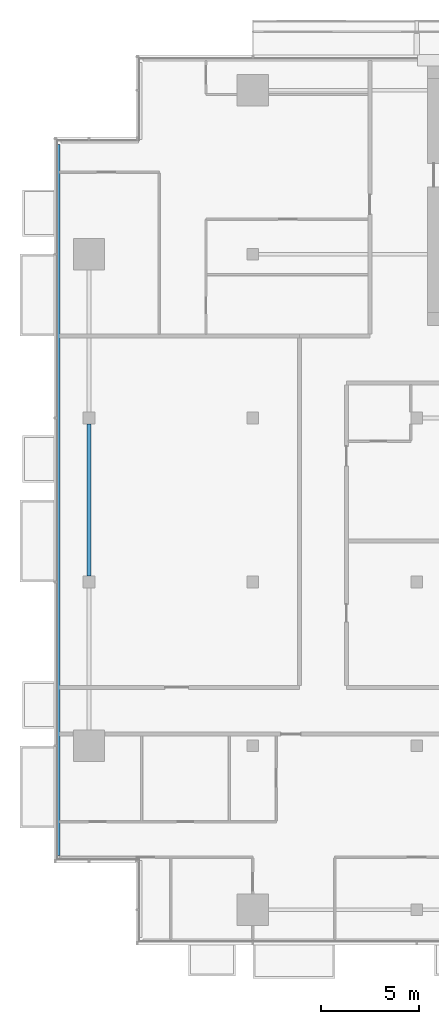
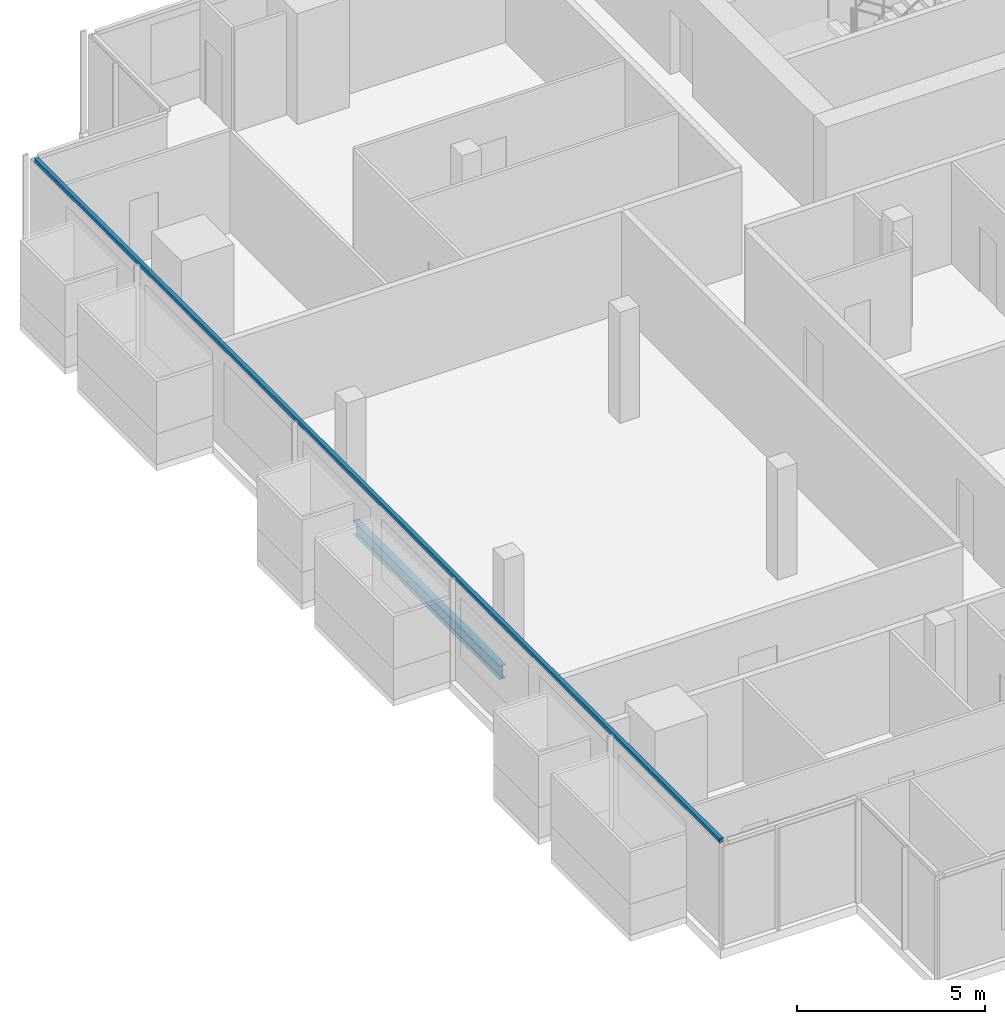
# One storey, part 3 of 27: 1 beam, 1 member, 1 element without a shape of its own.
"""IFC4 building model written with IfcOpenShell, lengths in metres."""

from ifc_helpers import new_model, si_unit, direction, frame, origin, origin_2d, place, context, subcontext, project, spatial, rectangle, i_section, extrude, material, material_profile, profile_set, type_object, element, aggregate, save


model = new_model("IFC4")

# Units and contexts
model_context = context("Model", 3, precision=1e-05, world=origin(), true_north=direction((0.0, 1.0)))
body_context = subcontext(model_context, "Body", "Model", "MODEL_VIEW")
ifc_project = project(units=[si_unit("LENGTHUNIT", "METRE"), si_unit("AREAUNIT", "SQUARE_METRE"), si_unit("VOLUMEUNIT", "CUBIC_METRE"), si_unit("PLANEANGLEUNIT", "RADIAN"), si_unit("MASSUNIT", "GRAM", prefix="KILO")], contexts=[model_context])

# Site, building, storey
site_placement = place(None, origin())
site = spatial("IfcSite", under=ifc_project, at=site_placement, CompositionType="ELEMENT")
building_placement = place(site_placement, origin())
building = spatial("IfcBuilding", under=site, at=building_placement, Name="Saffron Gate Tower", CompositionType="ELEMENT")
storey_placement = place(building_placement, frame((0.0, 0.0, 212.699951171875)))
storey = spatial("IfcBuildingStorey", under=building, at=storey_placement, Name="L51", CompositionType="ELEMENT", Elevation=212.699951171875)

# Beam
ifc_material_1 = material(Name="Structural steel S355", Category="steel")
ifc_material_profile_1 = material_profile(ifc_material_1, i_section(OverallWidth=0.18994140625, OverallDepth=0.449951171875, WebThickness=0.009521484375, FlangeThickness=0.0146484375, FilletRadius=0.02099609375, at=origin_2d()))
ifc_profile_set_1 = profile_set([ifc_material_profile_1], Name="Structural steel S355")
beam_type = type_object("IfcBeamType", Name="B7 IPE 450", PredefinedType="SPANDREL", material=ifc_profile_set_1)
beam_placement = place(storey_placement, frame((49.800048828125, 48.89990234375, -0.5048828125), z_axis=(0.0, 1.0, 0.0), x_axis=(-1.0, 0.0, 0.0)))
element("IfcBeam", 1, at=beam_placement, inside=storey, type_object=beam_type, Name="B7 SPANDREL BEAM", PredefinedType="SPANDREL", context=body_context, shape_type="SweptSolid", body=[
    extrude(i_section(OverallWidth=0.18994140625, OverallDepth=0.449951171875, WebThickness=0.009521484375, FlangeThickness=0.0146484375, FilletRadius=0.02099609375, at=origin_2d()), origin(), (0.0, 0.0, 1.0), 7.800048828125),
])

# Curtain wall, member
ifc_material_2 = material(Name="Aluminium, bronze anodised", Category="aluminium")
curtain_wall_type = type_object("IfcCurtainWallType", Name="CWS2 curtain wall side facades", PredefinedType="NOTDEFINED", material=ifc_material_2)
curtain_wall_placement = place(storey_placement, origin())
curtain_wall = element("IfcCurtainWall", 2, at=curtain_wall_placement, inside=storey, type_object=curtain_wall_type, Name="CWS2 run 10", PredefinedType="NOTDEFINED")
ifc_material_profile_2 = material_profile(ifc_material_2, rectangle(XDim=0.1201171875, YDim=0.1201171875, at=origin_2d()))
ifc_profile_set_2 = profile_set([ifc_material_profile_2], Name="Aluminium, bronze anodised")
member_type = type_object("IfcMemberType", Name="CWS2 head transom", PredefinedType="USERDEFINED", material=ifc_profile_set_2)
member_placement = place(storey_placement, frame((48.248046875, 71.031982421875, 3.260009765625), z_axis=(0.0, -1.0, 0.0), x_axis=(1.0, 0.0, 0.0)))
member = element("IfcMember", 3, at=member_placement, type_object=member_type, Name="CWS2 head transom", ObjectType="TRANSOM", PredefinedType="USERDEFINED", context=body_context, shape_type="SweptSolid", body=[
    extrude(rectangle(XDim=0.1201171875, YDim=0.1201171875, at=origin_2d()), origin(), (0.0, 0.0, 1.0), 36.4638671875),
])
aggregate(curtain_wall, [member])

save(model, "model.ifc")
